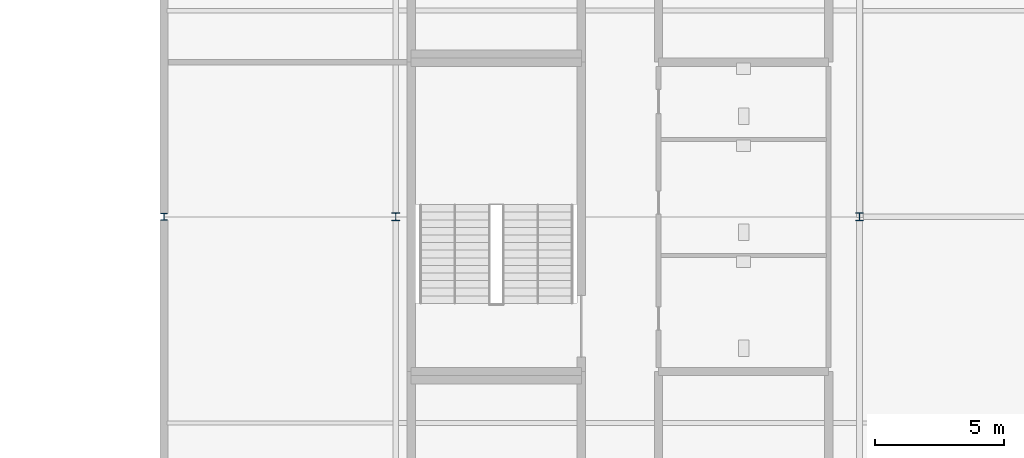
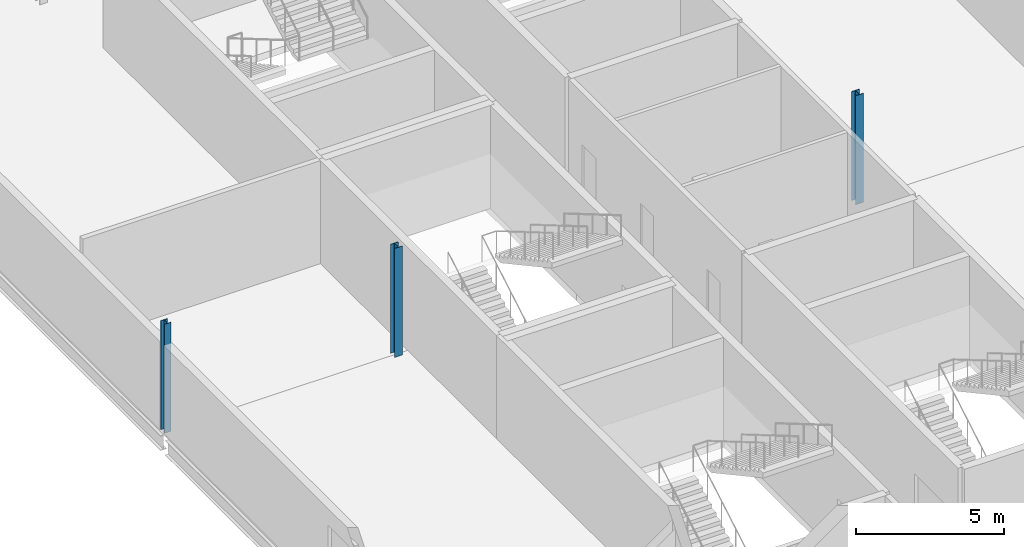
# One storey, part 5 of 28: 3 columns.
"""IFC4 building model written with IfcOpenShell, lengths in metres."""

from ifc_helpers import new_model, si_unit, direction, frame, origin, origin_2d, place, context, subcontext, project, spatial, i_section, extrude, material, material_profile, profile_set, type_object, element, save


model = new_model("IFC4")

# Units and contexts
model_context = context("Model", 3, precision=1e-05, world=origin(), true_north=direction((0.0, 1.0)))
body_context = subcontext(model_context, "Body", "Model", "MODEL_VIEW")
ifc_project = project(units=[si_unit("LENGTHUNIT", "METRE"), si_unit("AREAUNIT", "SQUARE_METRE"), si_unit("VOLUMEUNIT", "CUBIC_METRE"), si_unit("PLANEANGLEUNIT", "RADIAN"), si_unit("MASSUNIT", "GRAM", prefix="KILO")], contexts=[model_context])

# Site, building, storey
site_placement = place(None, origin())
site = spatial("IfcSite", under=ifc_project, at=site_placement, CompositionType="ELEMENT")
building_placement = place(site_placement, origin())
building = spatial("IfcBuilding", under=site, at=building_placement, Name="Kisiwana Market Hall", CompositionType="ELEMENT")
storey_placement = place(building_placement, frame((0.0, 0.0, 49.5)))
storey = spatial("IfcBuildingStorey", under=building, at=storey_placement, Name="L11", CompositionType="ELEMENT", Elevation=49.5)

# Columns
ifc_material_1 = material(Name="Steel S355", Category="steel")
ifc_material_profile_1 = material_profile(ifc_material_1, i_section(OverallWidth=0.300048828125, OverallDepth=0.300048828125, WebThickness=0.010986328125, FlangeThickness=0.01904296875, FilletRadius=0.027099609375, at=origin_2d()), Name="HEB 300")
ifc_profile_set_1 = profile_set([ifc_material_profile_1], Name="Steel S355")
column_type_1 = type_object("IfcColumnType", Name="COL-STL-HEB300", PredefinedType="COLUMN", material=ifc_profile_set_1)
for number, where, z_axis, x_axis, name in (
    (1, (171.0, 60.0, 0.0), (0.0, 0.0, 1.0), (1.0, 0.0, 0.0), "Column H/20 (L11) C-1346"),
    (2, (189.0, 60.0, 0.0), (0.0, 0.0, 1.0), (1.0, 0.0, 0.0), "Column H/22 (L11) C-1321"),
):
    element("IfcColumn", number, at=place(storey_placement, frame(where, z_axis=z_axis, x_axis=x_axis)), inside=storey, type_object=column_type_1, Name=name, PredefinedType="COLUMN", context=body_context, shape_type="SweptSolid", body=[
        extrude(i_section(OverallWidth=0.300048828125, OverallDepth=0.300048828125, WebThickness=0.010986328125, FlangeThickness=0.01904296875, FilletRadius=0.027099609375, at=origin_2d()), origin(), (0.0, 0.0, 1.0), 4.5),
    ])
ifc_material_2 = material(Name="Steel S355", Category="steel")
ifc_material_profile_2 = material_profile(ifc_material_2, i_section(OverallWidth=0.2587890625, OverallDepth=0.2666015625, WebThickness=0.0126953125, FlangeThickness=0.0205078125, at=origin_2d()), Name="UC 254x254x107")
ifc_profile_set_2 = profile_set([ifc_material_profile_2], Name="Steel S355")
column_type_2 = type_object("IfcColumnType", Name="COL-STL-UC107", PredefinedType="COLUMN", material=ifc_profile_set_2)
column_placement = place(storey_placement, frame((162.0, 60.0, 0.0), z_axis=(0.0, 0.0, 1.0), x_axis=(1.0, 0.0, 0.0)))
element("IfcColumn", 3, at=column_placement, inside=storey, type_object=column_type_2, Name="Column H/19 (L11) C-1320", PredefinedType="COLUMN", context=body_context, shape_type="SweptSolid", body=[
    extrude(i_section(OverallWidth=0.2587890625, OverallDepth=0.2666015625, WebThickness=0.0126953125, FlangeThickness=0.0205078125, at=origin_2d()), origin(), (0.0, 0.0, 1.0), 4.5),
])

save(model, "model.ifc")
